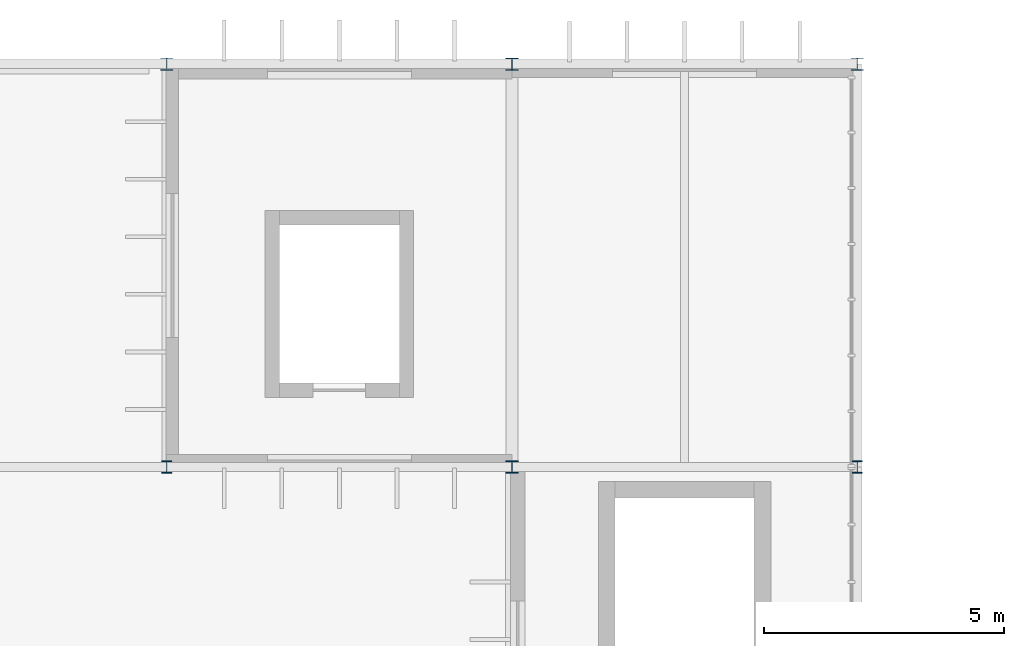
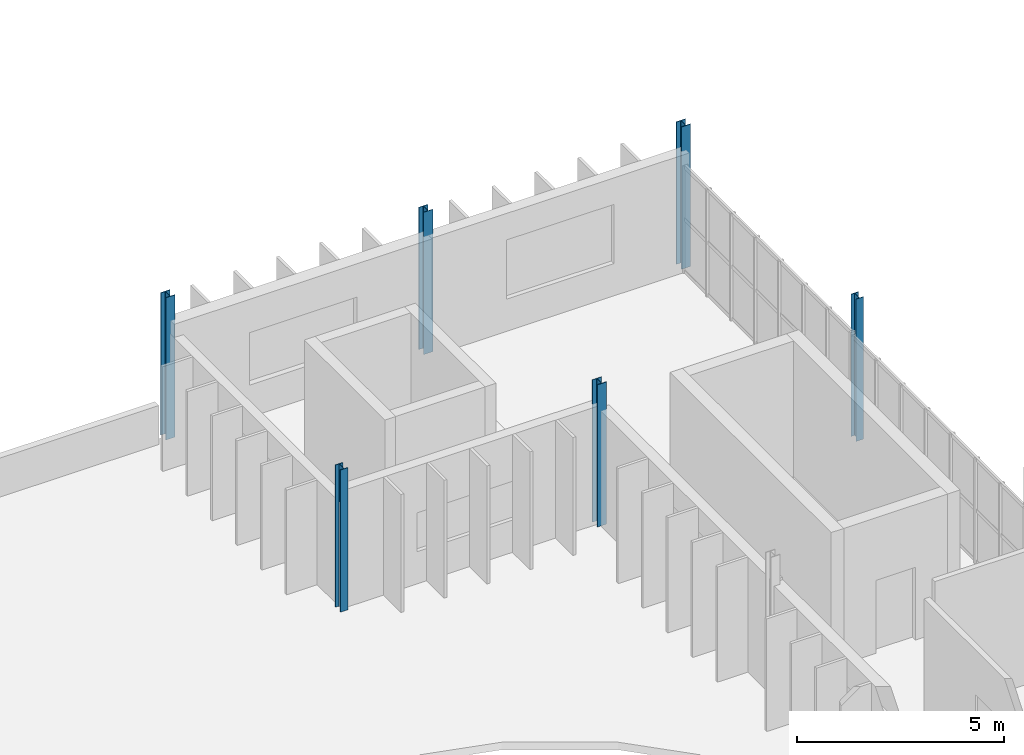
# One storey, part 6 of 18: 6 columns.
"""IFC4 building model written with IfcOpenShell, lengths in metres."""

from ifc_helpers import new_model, si_unit, direction, frame, origin, origin_2d, place, context, subcontext, project, spatial, i_section, extrude, material, material_profile, profile_set, type_object, element, save


model = new_model("IFC4")

# Units and contexts
model_context = context("Model", 3, precision=1e-05, world=origin(), true_north=direction((0.0, 1.0)))
body_context = subcontext(model_context, "Body", "Model", "MODEL_VIEW")
ifc_project = project(units=[si_unit("LENGTHUNIT", "METRE"), si_unit("AREAUNIT", "SQUARE_METRE"), si_unit("VOLUMEUNIT", "CUBIC_METRE"), si_unit("PLANEANGLEUNIT", "RADIAN"), si_unit("MASSUNIT", "GRAM", prefix="KILO")], contexts=[model_context])

# Site, building, storey
site_placement = place(None, origin())
site = spatial("IfcSite", under=ifc_project, at=site_placement, CompositionType="ELEMENT")
building_placement = place(site_placement, origin())
building = spatial("IfcBuilding", under=site, at=building_placement, Name="Qelthora Terrace Specialist Clinic", CompositionType="ELEMENT")
storey_placement = place(building_placement, frame((0.0, 0.0, 21.60009765625)))
storey = spatial("IfcBuildingStorey", under=building, at=storey_placement, Name="L05", CompositionType="ELEMENT", Elevation=21.60009765625)

# Columns
ifc_material = material(Name="Steel S355", Category="steel")
ifc_material_profile_1 = material_profile(ifc_material, i_section(OverallWidth=0.2041015625, OverallDepth=0.257080078125, WebThickness=0.0087890625, FlangeThickness=0.015625, FilletRadius=0.012939453125, at=origin_2d()), Name="W250X67")
ifc_profile_set_1 = profile_set([ifc_material_profile_1], Name="Steel S355")
column_type_1 = type_object("IfcColumnType", Name="COL-W250X67", PredefinedType="COLUMN", material=ifc_profile_set_1)
for number, where, z_axis, x_axis, name in (
    (1, (28.800048828125, 100.800048828125, 0.0), (0.0, 0.0, 1.0), (1.0, 0.0, 0.0), "Column L05-063"),
    (2, (43.199951171875, 100.800048828125, 0.0), (0.0, 0.0, 1.0), (1.0, 0.0, 0.0), "Column L05-091"),
):
    element("IfcColumn", number, at=place(storey_placement, frame(where, z_axis=z_axis, x_axis=x_axis)), inside=storey, type_object=column_type_1, Name=name, PredefinedType="COLUMN", context=body_context, shape_type="SweptSolid", body=[
        extrude(i_section(OverallWidth=0.2041015625, OverallDepth=0.257080078125, WebThickness=0.0087890625, FlangeThickness=0.015625, FilletRadius=0.012939453125, at=origin_2d()), origin(), (0.0, 0.0, 1.0), 4.199951171875),
    ])
ifc_material_profile_2 = material_profile(ifc_material, i_section(OverallWidth=0.25390625, OverallDepth=0.2529296875, WebThickness=0.008544921875, FlangeThickness=0.01416015625, FilletRadius=0.012939453125, at=origin_2d()), Name="W250X73")
ifc_profile_set_2 = profile_set([ifc_material_profile_2], Name="Steel S355")
column_type_2 = type_object("IfcColumnType", Name="COL-W250X73", PredefinedType="COLUMN", material=ifc_profile_set_2)
column_1_placement = place(storey_placement, frame((36.0, 109.199951171875, 0.0), z_axis=(0.0, 0.0, 1.0), x_axis=(1.0, 0.0, 0.0)))
element("IfcColumn", 3, at=column_1_placement, inside=storey, type_object=column_type_2, Name="Column L05-078", PredefinedType="COLUMN", context=body_context, shape_type="SweptSolid", body=[
    extrude(i_section(OverallWidth=0.25390625, OverallDepth=0.2529296875, WebThickness=0.008544921875, FlangeThickness=0.01416015625, FilletRadius=0.012939453125, at=origin_2d()), origin(), (0.0, 0.0, 1.0), 4.199951171875),
])
ifc_material_profile_3 = material_profile(ifc_material, i_section(OverallWidth=0.2548828125, OverallDepth=0.256103515625, WebThickness=0.009521484375, FlangeThickness=0.015625, FilletRadius=0.012939453125, at=origin_2d()), Name="W250X80")
ifc_profile_set_3 = profile_set([ifc_material_profile_3], Name="Steel S355")
column_type_3 = type_object("IfcColumnType", Name="COL-W250X80", PredefinedType="COLUMN", material=ifc_profile_set_3)
column_2_placement = place(storey_placement, frame((36.0, 100.800048828125, 0.0), z_axis=(0.0, 0.0, 1.0), x_axis=(1.0, 0.0, 0.0)))
element("IfcColumn", 4, at=column_2_placement, inside=storey, type_object=column_type_3, Name="Column L05-077", PredefinedType="COLUMN", context=body_context, shape_type="SweptSolid", body=[
    extrude(i_section(OverallWidth=0.2548828125, OverallDepth=0.256103515625, WebThickness=0.009521484375, FlangeThickness=0.015625, FilletRadius=0.012939453125, at=origin_2d()), origin(), (0.0, 0.0, 1.0), 4.199951171875),
])
ifc_material_profile_4 = material_profile(ifc_material, i_section(OverallWidth=0.256103515625, OverallDepth=0.260009765625, WebThickness=0.0107421875, FlangeThickness=0.017333984375, FilletRadius=0.012939453125, at=origin_2d()), Name="W250X89")
ifc_profile_set_4 = profile_set([ifc_material_profile_4], Name="Steel S355")
column_type_4 = type_object("IfcColumnType", Name="COL-W250X89", PredefinedType="COLUMN", material=ifc_profile_set_4)
for number, where, z_axis, x_axis, name in (
    (5, (28.800048828125, 109.199951171875, 0.0), (0.0, 0.0, 1.0), (1.0, 0.0, 0.0), "Column L05-064"),
    (6, (43.199951171875, 109.199951171875, 0.0), (0.0, 0.0, 1.0), (1.0, 0.0, 0.0), "Column L05-092"),
):
    element("IfcColumn", number, at=place(storey_placement, frame(where, z_axis=z_axis, x_axis=x_axis)), inside=storey, type_object=column_type_4, Name=name, PredefinedType="COLUMN", context=body_context, shape_type="SweptSolid", body=[
        extrude(i_section(OverallWidth=0.256103515625, OverallDepth=0.260009765625, WebThickness=0.0107421875, FlangeThickness=0.017333984375, FilletRadius=0.012939453125, at=origin_2d()), origin(), (0.0, 0.0, 1.0), 4.199951171875),
    ])

save(model, "model.ifc")
